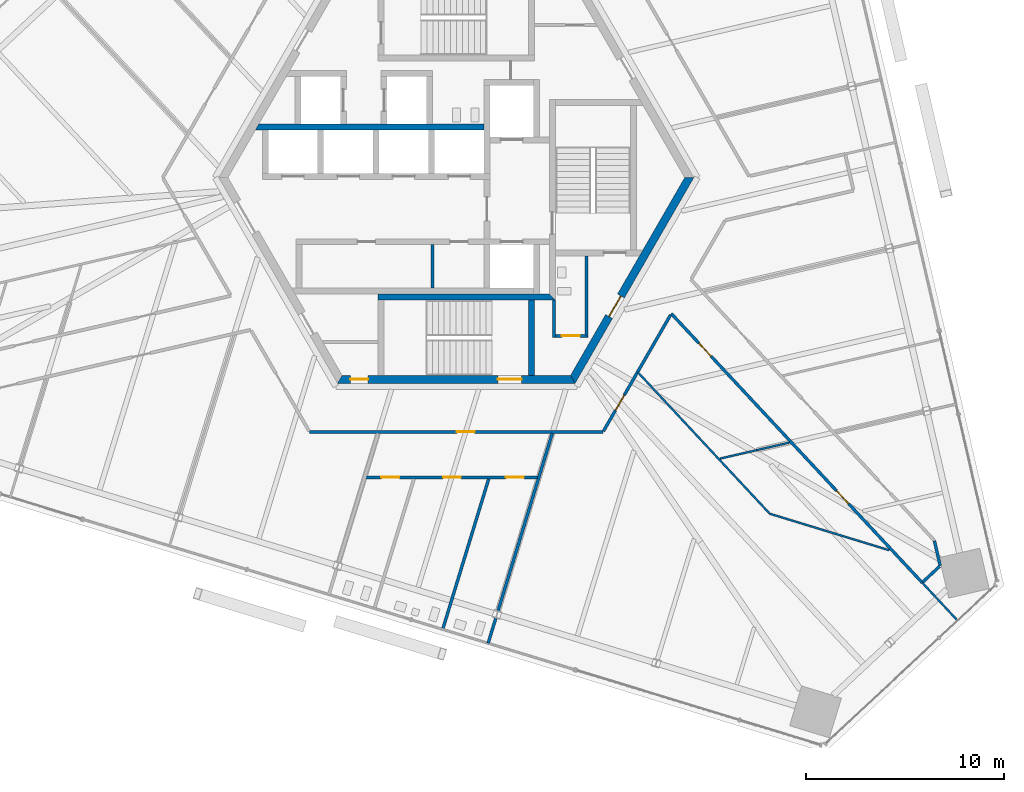
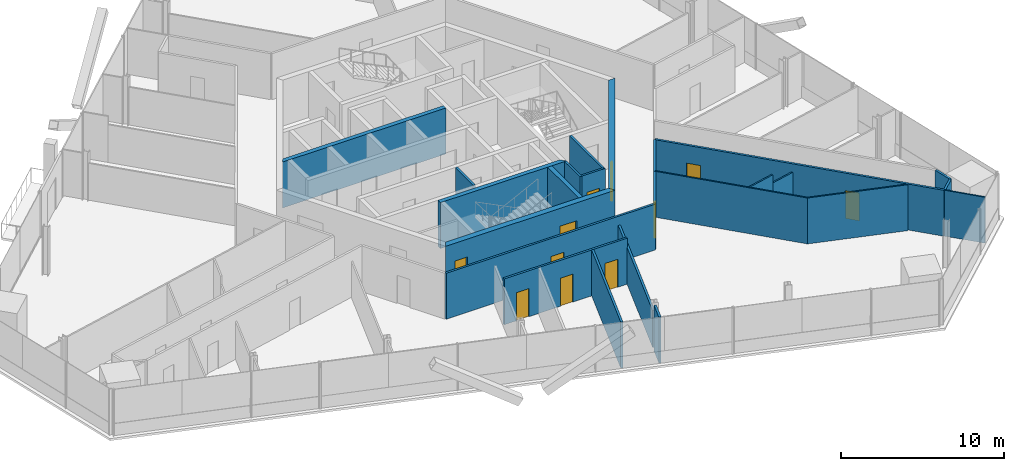
# One storey, part 13 of 20: 23 walls, 11 doors, 11 openings.
"""IFC4 building model written with IfcOpenShell, lengths in metres."""

from ifc_helpers import new_model, si_unit, direction, frame, frame_2d, origin, place, context, subcontext, project, spatial, polyline, rectangle, outline, extrude, source, transform, mapped, material, layer, layer_set, type_object, element, fill, save


model = new_model("IFC4")

# Units and contexts
model_context = context("Model", 3, precision=1e-05, world=origin(), true_north=direction((0.0, 1.0)))
body_context = subcontext(model_context, "Body", "Model", "MODEL_VIEW")
ifc_project = project(units=[si_unit("LENGTHUNIT", "METRE"), si_unit("AREAUNIT", "SQUARE_METRE"), si_unit("VOLUMEUNIT", "CUBIC_METRE"), si_unit("PLANEANGLEUNIT", "RADIAN"), si_unit("MASSUNIT", "GRAM", prefix="KILO")], contexts=[model_context])

# Site, building, storey
site_placement = place(None, origin())
site = spatial("IfcSite", under=ifc_project, at=site_placement, CompositionType="ELEMENT")
building_placement = place(site_placement, origin())
building = spatial("IfcBuilding", under=site, at=building_placement, Name="Triune Harvest Tower", CompositionType="ELEMENT")
storey_placement = place(building_placement, frame((0.0, 0.0, 116.300048828125)))
storey = spatial("IfcBuildingStorey", under=building, at=storey_placement, Name="L29", CompositionType="ELEMENT", Elevation=116.300048828125)

# Wall, openings, doors
ifc_material_1 = material(Name="Concrete 70 MPa", Category="concrete")
ifc_layer_1 = layer(ifc_material_1, 0.39990234375)
ifc_layer_set_1 = layer_set([ifc_layer_1], Name="Concrete 70 MPa")
wall_type_1 = type_object("IfcWallType", Name="Core wall 400", PredefinedType="SHEAR", material=ifc_layer_set_1)
shared_shape_1 = source(origin(), body_context, "Body", "SweptSolid", [
    extrude(outline(polyline([(-0.115478515625, -0.199951171875), (11.884521484375, -0.199951171875), (11.653564453125, 0.199951171875), (0.115478515625, 0.199951171875), (-0.115478515625, -0.199951171875)])), origin(), (0.0, 0.0, 1.0), 3.43994140625),
])
wall_1_placement = place(storey_placement, frame((-5.884521484375, -10.1923828125, 0.0), z_axis=(0.0, 0.0, 1.0), x_axis=(1.0, 0.0, 0.0)))
wall_1 = element("IfcWall", 1, at=wall_1_placement, inside=storey, type_object=wall_type_1, Name="Hexagon 4 wall", PredefinedType="SHEAR", context=body_context, shape_type="MappedRepresentation", body=[
    mapped(shared_shape_1, transform((0.0, 0.0, 0.0), scale=1.0)),
])
opening_1_placement = place(wall_1_placement, frame((7.984619140625, 0.0, 0.0)))
opening_1 = element("IfcOpeningElement", 2, at=opening_1_placement, cuts=wall_1, Name="Opening CD-S2P", PredefinedType="OPENING", context=body_context, shape_type="SweptSolid", body=[
    extrude(rectangle(XDim=1.199951171875, YDim=2.10009765625, at=frame_2d((0.60009765625, 1.050048828125))), frame((0.0, 0.2099609375, 0.0), z_axis=(0.0, -1.0, 0.0), x_axis=(1.0, 0.0, 0.0)), (0.0, 0.0, 1.0), 0.419921875),
])
opening_2_placement = place(wall_1_placement, frame((0.534423828125, 0.0, 0.0)))
opening_2 = element("IfcOpeningElement", 3, at=opening_2_placement, cuts=wall_1, Name="Opening CD-SWS", PredefinedType="OPENING", context=body_context, shape_type="SweptSolid", body=[
    extrude(rectangle(XDim=0.89990234375, YDim=2.10009765625, at=frame_2d((0.449951171875, 1.050048828125))), frame((0.0, 0.2099609375, 0.0), z_axis=(0.0, -1.0, 0.0), x_axis=(1.0, 0.0, 0.0)), (0.0, 0.0, 1.0), 0.419921875),
])
ifc_material_2 = material(Name="Steel S235", Category="steel")
door_type_1 = type_object("IfcDoorType", Name="Riser door 900 FD120", OperationType="SINGLE_SWING_LEFT", PredefinedType="DOOR", material=ifc_material_2)
door_1_placement = place(opening_2_placement, frame((0.89990234375, 0.0, 0.0), z_axis=(0.0, 0.0, 1.0), x_axis=(-1.0, 0.0, 0.0)))
door_1 = element("IfcDoor", 4, at=door_1_placement, inside=storey, type_object=door_type_1, Name="Door CD-SWS", OperationType="SINGLE_SWING_RIGHT", OverallHeight=2.10009765625, OverallWidth=0.89990234375, PredefinedType="DOOR", context=body_context, shape_type="SweptSolid", body=[
    extrude(rectangle(XDim=0.89990234375, YDim=2.10009765625, at=frame_2d((0.449951171875, 1.050048828125))), frame((0.0, 0.02490234375, 0.0), z_axis=(0.0, -1.0, 0.0), x_axis=(1.0, 0.0, 0.0)), (0.0, 0.0, 1.0), 0.050048828125),
])
fill(opening_2, door_1)
ifc_material_3 = material(Name="Steel S235", Category="steel")
door_type_2 = type_object("IfcDoorType", Name="Stair door 1200 FD120", OperationType="SINGLE_SWING_LEFT", PredefinedType="DOOR", material=ifc_material_3)
door_2_placement = place(opening_1_placement, frame((1.199951171875, 0.0, 0.0), z_axis=(0.0, 0.0, 1.0), x_axis=(-1.0, 0.0, 0.0)))
door_2 = element("IfcDoor", 5, at=door_2_placement, inside=storey, type_object=door_type_2, Name="Door CD-S2P", OperationType="SINGLE_SWING_RIGHT", OverallHeight=2.10009765625, OverallWidth=1.199951171875, PredefinedType="DOOR", context=body_context, shape_type="SweptSolid", body=[
    extrude(rectangle(XDim=1.199951171875, YDim=2.10009765625, at=frame_2d((0.60009765625, 1.050048828125))), frame((0.0, 0.02490234375, 0.0), z_axis=(0.0, -1.0, 0.0), x_axis=(1.0, 0.0, 0.0)), (0.0, 0.0, 1.0), 0.050048828125),
])
fill(opening_1, door_2)

# Wall, opening, door
wall_2_placement = place(storey_placement, frame((5.884521484375, -10.1923828125, 0.0), z_axis=(0.0, 0.0, 1.0), x_axis=(0.499996592174, 0.866027371285, 0.0)))
wall_2 = element("IfcWall", 6, at=wall_2_placement, inside=storey, type_object=wall_type_1, Name="Hexagon 5 wall", PredefinedType="SHEAR", context=body_context, shape_type="MappedRepresentation", body=[
    mapped(shared_shape_1, transform((0.0, 0.0, 0.0), scale=1.0)),
])
opening_3_placement = place(wall_2_placement, frame((3.66455078125, 0.0, 0.0)))
opening_3 = element("IfcOpeningElement", 7, at=opening_3_placement, cuts=wall_2, Name="Opening CD-DP", PredefinedType="OPENING", context=body_context, shape_type="SweptSolid", body=[
    extrude(rectangle(XDim=1.199951171875, YDim=2.10009765625, at=frame_2d((0.60009765625, 1.050048828125))), frame((0.0, 0.2099609375, 0.0), z_axis=(0.0, -1.0, 0.0), x_axis=(1.0, 0.0, 0.0)), (0.0, 0.0, 1.0), 0.419921875),
])
door_3_placement = place(opening_3_placement, frame((1.199951171875, 0.0, 0.0), z_axis=(0.0, 0.0, 1.0), x_axis=(-1.0, 0.0, 0.0)))
door_3 = element("IfcDoor", 8, at=door_3_placement, inside=storey, type_object=door_type_2, Name="Door CD-DP", OperationType="SINGLE_SWING_RIGHT", OverallHeight=2.10009765625, OverallWidth=1.199951171875, PredefinedType="DOOR", context=body_context, shape_type="SweptSolid", body=[
    extrude(rectangle(XDim=1.199951171875, YDim=2.10009765625, at=frame_2d((0.60009765625, 1.050048828125))), frame((0.0, 0.02490234375, 0.0), z_axis=(0.0, -1.0, 0.0), x_axis=(1.0, 0.0, 0.0)), (0.0, 0.0, 1.0), 0.050048828125),
])
fill(opening_3, door_3)

# Walls
ifc_material_4 = material(Name="Concrete 70 MPa", Category="concrete")
ifc_layer_2 = layer(ifc_material_4, 0.300048828125)
ifc_layer_set_2 = layer_set([ifc_layer_2], Name="Concrete 70 MPa")
wall_type_2 = type_object("IfcWallType", Name="Core wall 300", PredefinedType="SHEAR", material=ifc_layer_set_2)
shared_shape_2 = source(origin(), body_context, "Body", "SweptSolid", [
    extrude(outline(polyline([(11.199951171875, -0.14990234375), (-0.34912109375, -0.14990234375), (-0.17578125, 0.14990234375), (11.199951171875, 0.14990234375), (11.199951171875, -0.14990234375)])), origin(), (0.0, 0.0, 1.0), 3.43994140625),
])
wall_3_placement = place(storey_placement, frame((-9.800048828125, 2.56005859375, 0.0), z_axis=(0.0, 0.0, 1.0), x_axis=(1.0, 0.0, 0.0)))
element("IfcWall", 9, at=wall_3_placement, inside=storey, type_object=wall_type_2, Name="North back wall", PredefinedType="SHEAR", context=body_context, shape_type="MappedRepresentation", body=[
    mapped(shared_shape_2, transform((0.0, 0.0, 0.0), scale=1.0)),
])
shared_shape_3 = source(origin(), body_context, "Body", "SweptSolid", [
    extrude(outline(polyline([(0.0, -0.14990234375), (8.949951171875, -0.14990234375), (8.64990234375, 0.14990234375), (0.0, 0.14990234375), (0.0, -0.14990234375)])), origin(), (0.0, 0.0, 1.0), 3.43994140625),
])
wall_4_placement = place(storey_placement, frame((-3.949951171875, -6.0400390625, 0.0), z_axis=(0.0, 0.0, 1.0), x_axis=(1.0, 0.0, 0.0)))
element("IfcWall", 10, at=wall_4_placement, inside=storey, type_object=wall_type_2, Name="Stair s north wall", PredefinedType="SHEAR", context=body_context, shape_type="MappedRepresentation", body=[
    mapped(shared_shape_3, transform((0.0, 0.0, 0.0), scale=1.0)),
])
shared_shape_4 = source(origin(), body_context, "Body", "SweptSolid", [
    extrude(outline(polyline([(3.800048828125, -0.14990234375), (-0.00439453125, -0.14990234375), (-0.00439453125, 0.14990234375), (3.800048828125, 0.14990234375), (3.800048828125, -0.14990234375)])), origin(), (0.0, 0.0, 1.0), 3.43994140625),
])
wall_5_placement = place(storey_placement, frame((3.800048828125, -9.989990234375, 0.0), z_axis=(0.0, 0.0, 1.0), x_axis=(0.0, 1.0, 0.0)))
element("IfcWall", 11, at=wall_5_placement, inside=storey, type_object=wall_type_2, Name="Stair s east wall", PredefinedType="SHEAR", context=body_context, shape_type="MappedRepresentation", body=[
    mapped(shared_shape_4, transform((0.0, 0.0, 0.0), scale=1.0)),
])

# Wall, opening, door
ifc_material_5 = material(Name="Concrete masonry unit", Category="masonry")
ifc_layer_3 = layer(ifc_material_5, 0.14990234375)
ifc_layer_set_3 = layer_set([ifc_layer_3], Name="Concrete masonry unit")
wall_type_3 = type_object("IfcWallType", Name="Block partition 150 unrated", PredefinedType="PARTITIONING", material=ifc_layer_set_3)
shared_shape_5 = source(origin(), body_context, "Body", "SweptSolid", [
    extrude(outline(polyline([(0.0, -0.074951171875), (1.64990234375, -0.074951171875), (1.5, 0.074951171875), (0.0, 0.074951171875), (0.0, -0.074951171875)])), origin(), (0.0, 0.0, 1.0), 3.43994140625),
])
wall_6_placement = place(storey_placement, frame((5.0, -8.0, 0.0), z_axis=(0.0, 0.0, 1.0), x_axis=(1.0, 0.0, 0.0)))
wall_6 = element("IfcWall", 12, at=wall_6_placement, inside=storey, type_object=wall_type_3, Name="Wc acc south wall", PredefinedType="PARTITIONING", context=body_context, shape_type="MappedRepresentation", body=[
    mapped(shared_shape_5, transform((0.0, 0.0, 0.0), scale=1.0)),
])
opening_4_placement = place(wall_6_placement, frame((0.33740234375, 0.0, 0.0)))
opening_4 = element("IfcOpeningElement", 13, at=opening_4_placement, cuts=wall_6, Name="Opening CD-WA", PredefinedType="OPENING", context=body_context, shape_type="SweptSolid", body=[
    extrude(rectangle(XDim=0.89990234375, YDim=2.10009765625, at=frame_2d((0.449951171875, 1.050048828125))), frame((0.0, 0.0849609375, 0.0), z_axis=(0.0, -1.0, 0.0), x_axis=(1.0, 0.0, 0.0)), (0.0, 0.0, 1.0), 0.169921875),
])
ifc_material_6 = material(Name="Timber C24", Category="wood")
door_type_3 = type_object("IfcDoorType", Name="WC door 900", OperationType="SINGLE_SWING_LEFT", PredefinedType="DOOR", material=ifc_material_6)
door_4_placement = place(opening_4_placement, origin())
door_4 = element("IfcDoor", 14, at=door_4_placement, inside=storey, type_object=door_type_3, Name="Door CD-WA", OperationType="SINGLE_SWING_LEFT", OverallHeight=2.10009765625, OverallWidth=0.89990234375, PredefinedType="DOOR", context=body_context, shape_type="SweptSolid", body=[
    extrude(rectangle(XDim=0.89990234375, YDim=2.10009765625, at=frame_2d((0.449951171875, 1.050048828125))), frame((0.0, 0.02490234375, 0.0), z_axis=(0.0, -1.0, 0.0), x_axis=(1.0, 0.0, 0.0)), (0.0, 0.0, 1.0), 0.050048828125),
])
fill(opening_4, door_4)

# Walls
ifc_material_7 = material(Name="Concrete masonry unit", Category="masonry")
ifc_layer_4 = layer(ifc_material_7, 0.14990234375)
ifc_layer_set_4 = layer_set([ifc_layer_4], Name="Concrete masonry unit")
wall_type_4 = type_object("IfcWallType", Name="Block partition 150", PredefinedType="PARTITIONING", material=ifc_layer_set_4)
shared_shape_6 = source(origin(), body_context, "Body", "SweptSolid", [
    extrude(rectangle(XDim=2.2001953125, YDim=0.14990234375, at=frame_2d((1.10009765625, 0.0))), origin(), (0.0, 0.0, 1.0), 3.43994140625),
])
wall_7_placement = place(storey_placement, frame((-1.199951171875, -5.590087890625, 0.0), z_axis=(0.0, 0.0, 1.0), x_axis=(0.0, 1.0, 0.0)))
element("IfcWall", 15, at=wall_7_placement, inside=storey, type_object=wall_type_4, Name="Row s part 1 wall", PredefinedType="PARTITIONING", context=body_context, shape_type="MappedRepresentation", body=[
    mapped(shared_shape_6, transform((0.0, 0.0, 0.0), scale=1.0)),
])
shared_shape_7 = source(origin(), body_context, "Body", "SweptSolid", [
    extrude(outline(polyline([(-0.074951171875, -0.074951171875), (4.050048828125, -0.074951171875), (4.050048828125, 0.074951171875), (0.074951171875, 0.074951171875), (-0.074951171875, -0.074951171875)])), origin(), (0.0, 0.0, 1.0), 3.43994140625),
])
wall_8_placement = place(storey_placement, frame((6.574951171875, -8.0, 0.0), z_axis=(0.0, 0.0, 1.0), x_axis=(0.0, 1.0, 0.0)))
element("IfcWall", 16, at=wall_8_placement, inside=storey, type_object=wall_type_3, Name="Wc acc east wall", PredefinedType="PARTITIONING", context=body_context, shape_type="MappedRepresentation", body=[
    mapped(shared_shape_7, transform((0.0, 0.0, 0.0), scale=1.0)),
])
shared_shape_8 = source(origin(), body_context, "Body", "SweptSolid", [
    extrude(rectangle(XDim=1.885009765625, YDim=0.14990234375, at=frame_2d((0.9423828125, 0.0))), origin(), (0.0, 0.0, 1.0), 3.43994140625),
])
wall_9_placement = place(storey_placement, frame((4.925048828125, -8.074951171875, 0.0), z_axis=(0.0, 0.0, 1.0), x_axis=(0.0, 1.0, 0.0)))
element("IfcWall", 17, at=wall_9_placement, inside=storey, type_object=wall_type_3, Name="Wc acc west wall", PredefinedType="PARTITIONING", context=body_context, shape_type="MappedRepresentation", body=[
    mapped(shared_shape_8, transform((0.0, 0.0, 0.0), scale=1.0)),
])
ifc_material_8 = material(Name="Gypsum board on steel studs", Category="steel")
ifc_layer_5 = layer(ifc_material_8, 0.14990234375)
ifc_layer_set_5 = layer_set([ifc_layer_5], Name="Gypsum board on steel studs")
wall_type_5 = type_object("IfcWallType", Name="Fire Partition 150 mm", PredefinedType="PARTITIONING", material=ifc_layer_set_5)
shared_shape_9 = source(origin(), body_context, "Body", "SweptSolid", [
    extrude(rectangle(XDim=1.291259765625, YDim=0.14990234375, at=frame_2d((0.6455078125, 0.0))), origin(), (0.0, 0.0, 1.0), 3.43994140625),
])
wall_10_placement = place(storey_placement, frame((24.1533203125, -18.353759765625, 0.0), z_axis=(0.0, 0.0, 1.0), x_axis=(0.225011409507, -0.974356128729, 0.0)))
element("IfcWall", 18, at=wall_10_placement, inside=storey, type_object=wall_type_5, Name="Partition L29 003", PredefinedType="PARTITIONING", context=body_context, shape_type="MappedRepresentation", body=[
    mapped(shared_shape_9, transform((0.0, 0.0, 0.0), scale=1.0)),
])

# Wall, openings, doors
shared_shape_10 = source(origin(), body_context, "Body", "SweptSolid", [
    extrude(rectangle(XDim=18.5810546875, YDim=0.14990234375, at=frame_2d((9.29052734375, 0.0))), origin(), (0.0, 0.0, 1.0), 3.43994140625),
])
wall_11_placement = place(storey_placement, frame((10.861572265625, -6.87158203125, 0.0), z_axis=(0.0, 0.0, 1.0), x_axis=(0.681987205114, -0.731364103618, 0.0)))
wall_11 = element("IfcWall", 19, at=wall_11_placement, inside=storey, type_object=wall_type_5, Name="Partition L29 014", PredefinedType="PARTITIONING", context=body_context, shape_type="MappedRepresentation", body=[
    mapped(shared_shape_10, transform((0.0, 0.0, 0.0), scale=1.0)),
])
opening_5_placement = place(wall_11_placement, frame((12.229736328125, 0.0, 0.0)))
opening_5 = element("IfcOpeningElement", 20, at=opening_5_placement, cuts=wall_11, Name="Opening L29-001", PredefinedType="OPENING", context=body_context, shape_type="SweptSolid", body=[
    extrude(rectangle(XDim=0.89990234375, YDim=2.10009765625, at=frame_2d((0.449951171875, 1.050048828125))), frame((0.0, 0.0849609375, 0.0), z_axis=(0.0, -1.0, 0.0), x_axis=(1.0, 0.0, 0.0)), (0.0, 0.0, 1.0), 0.169921875),
])
opening_6_placement = place(wall_11_placement, frame((2.050048828125, 0.0, 0.0)))
opening_6 = element("IfcOpeningElement", 21, at=opening_6_placement, cuts=wall_11, Name="Opening L29-003", PredefinedType="OPENING", context=body_context, shape_type="SweptSolid", body=[
    extrude(rectangle(XDim=0.89990234375, YDim=2.10009765625, at=frame_2d((0.449951171875, 1.050048828125))), frame((0.0, 0.0849609375, 0.0), z_axis=(0.0, -1.0, 0.0), x_axis=(1.0, 0.0, 0.0)), (0.0, 0.0, 1.0), 0.169921875),
])
ifc_material_9 = material(Name="Timber and steel door set", Category="steel")
door_type_4 = type_object("IfcDoorType", Name="Single leaf door FD30 left hand 900 x 2100", OperationType="SINGLE_SWING_LEFT", PredefinedType="DOOR", material=ifc_material_9)
door_5_placement = place(opening_5_placement, origin())
door_5 = element("IfcDoor", 22, at=door_5_placement, inside=storey, type_object=door_type_4, Name="Door L29-001 Open Office 29.01", OperationType="SINGLE_SWING_LEFT", OverallHeight=2.10009765625, OverallWidth=0.89990234375, PredefinedType="DOOR", context=body_context, shape_type="SweptSolid", body=[
    extrude(rectangle(XDim=0.89990234375, YDim=2.10009765625, at=frame_2d((0.449951171875, 1.050048828125))), frame((0.0, 0.02490234375, 0.0), z_axis=(0.0, -1.0, 0.0), x_axis=(1.0, 0.0, 0.0)), (0.0, 0.0, 1.0), 0.050048828125),
])
fill(opening_5, door_5)
ifc_material_10 = material(Name="Timber and steel door set", Category="steel")
door_type_5 = type_object("IfcDoorType", Name="Single leaf door FD30 right hand 900 x 2100", OperationType="SINGLE_SWING_RIGHT", PredefinedType="DOOR", material=ifc_material_10)
door_6_placement = place(opening_6_placement, origin())
door_6 = element("IfcDoor", 23, at=door_6_placement, inside=storey, type_object=door_type_5, Name="Door L29-003 Pantry 29.03", OperationType="SINGLE_SWING_RIGHT", OverallHeight=2.10009765625, OverallWidth=0.89990234375, PredefinedType="DOOR", context=body_context, shape_type="SweptSolid", body=[
    extrude(rectangle(XDim=0.89990234375, YDim=2.10009765625, at=frame_2d((0.449951171875, 1.050048828125))), frame((0.0, 0.02490234375, 0.0), z_axis=(0.0, -1.0, 0.0), x_axis=(1.0, 0.0, 0.0)), (0.0, 0.0, 1.0), 0.050048828125),
])
fill(opening_6, door_6)

# Wall
ifc_material_11 = material(Name="Gypsum board on steel studs", Category="steel")
ifc_layer_6 = layer(ifc_material_11, 0.10009765625)
ifc_layer_set_6 = layer_set([ifc_layer_6], Name="Gypsum board on steel studs")
wall_type_6 = type_object("IfcWallType", Name="Partition 100 mm", PredefinedType="PARTITIONING", material=ifc_layer_set_6)
shared_shape_11 = source(origin(), body_context, "Body", "SweptSolid", [
    extrude(rectangle(XDim=2.61865234375, YDim=0.10009765625, at=frame_2d((1.309326171875, 0.0))), origin(), (0.0, 0.0, 1.0), 3.43994140625),
])
wall_12_placement = place(storey_placement, frame((23.53369140625, -20.461181640625, 0.0), z_axis=(0.0, 0.0, 1.0), x_axis=(0.682015897194, -0.731337347586, 0.0)))
element("IfcWall", 24, at=wall_12_placement, inside=storey, type_object=wall_type_6, Name="Partition L29 015", PredefinedType="PARTITIONING", context=body_context, shape_type="MappedRepresentation", body=[
    mapped(shared_shape_11, transform((0.0, 0.0, 0.0), scale=1.0)),
])

# Wall, openings, doors
shared_shape_12 = source(origin(), body_context, "Body", "SweptSolid", [
    extrude(rectangle(XDim=8.718994140625, YDim=0.14990234375, at=frame_2d((4.359375, 0.0))), origin(), (0.0, 0.0, 1.0), 3.43994140625),
])
wall_13_placement = place(storey_placement, frame((-4.629638671875, -15.142333984375, 0.0), z_axis=(0.0, 0.0, 1.0), x_axis=(1.0, 0.0, 0.0)))
wall_13 = element("IfcWall", 25, at=wall_13_placement, inside=storey, type_object=wall_type_5, Name="Partition L29 025", PredefinedType="PARTITIONING", context=body_context, shape_type="MappedRepresentation", body=[
    mapped(shared_shape_12, transform((0.0, 0.0, 0.0), scale=1.0)),
])
opening_7_placement = place(wall_13_placement, frame((0.85009765625, 0.0, 0.0)))
opening_7 = element("IfcOpeningElement", 26, at=opening_7_placement, cuts=wall_13, Name="Opening L29-023", PredefinedType="OPENING", context=body_context, shape_type="SweptSolid", body=[
    extrude(rectangle(XDim=0.89990234375, YDim=2.10009765625, at=frame_2d((0.449951171875, 1.050048828125))), frame((0.0, 0.0849609375, 0.0), z_axis=(0.0, -1.0, 0.0), x_axis=(1.0, 0.0, 0.0)), (0.0, 0.0, 1.0), 0.169921875),
])
opening_8_placement = place(wall_13_placement, frame((3.9658203125, 0.0, 0.0)))
opening_8 = element("IfcOpeningElement", 27, at=opening_8_placement, cuts=wall_13, Name="Opening L29-024", PredefinedType="OPENING", context=body_context, shape_type="SweptSolid", body=[
    extrude(rectangle(XDim=0.89990234375, YDim=2.10009765625, at=frame_2d((0.449951171875, 1.050048828125))), frame((0.0, 0.0849609375, 0.0), z_axis=(0.0, -1.0, 0.0), x_axis=(1.0, 0.0, 0.0)), (0.0, 0.0, 1.0), 0.169921875),
])
opening_9_placement = place(wall_13_placement, frame((7.139404296875, 0.0, 0.0)))
opening_9 = element("IfcOpeningElement", 28, at=opening_9_placement, cuts=wall_13, Name="Opening L29-025", PredefinedType="OPENING", context=body_context, shape_type="SweptSolid", body=[
    extrude(rectangle(XDim=0.89990234375, YDim=2.10009765625, at=frame_2d((0.449951171875, 1.050048828125))), frame((0.0, 0.0849609375, 0.0), z_axis=(0.0, -1.0, 0.0), x_axis=(1.0, 0.0, 0.0)), (0.0, 0.0, 1.0), 0.169921875),
])
door_7_placement = place(opening_8_placement, origin())
door_7 = element("IfcDoor", 29, at=door_7_placement, inside=storey, type_object=door_type_4, Name="Door L29-024 Men's WC 29.24", OperationType="SINGLE_SWING_LEFT", OverallHeight=2.10009765625, OverallWidth=0.89990234375, PredefinedType="DOOR", context=body_context, shape_type="SweptSolid", body=[
    extrude(rectangle(XDim=0.89990234375, YDim=2.10009765625, at=frame_2d((0.449951171875, 1.050048828125))), frame((0.0, 0.02490234375, 0.0), z_axis=(0.0, -1.0, 0.0), x_axis=(1.0, 0.0, 0.0)), (0.0, 0.0, 1.0), 0.050048828125),
])
fill(opening_8, door_7)
door_8_placement = place(opening_9_placement, origin())
door_8 = element("IfcDoor", 30, at=door_8_placement, inside=storey, type_object=door_type_4, Name="Door L29-025 Accessible WC 29.25", OperationType="SINGLE_SWING_LEFT", OverallHeight=2.10009765625, OverallWidth=0.89990234375, PredefinedType="DOOR", context=body_context, shape_type="SweptSolid", body=[
    extrude(rectangle(XDim=0.89990234375, YDim=2.10009765625, at=frame_2d((0.449951171875, 1.050048828125))), frame((0.0, 0.02490234375, 0.0), z_axis=(0.0, -1.0, 0.0), x_axis=(1.0, 0.0, 0.0)), (0.0, 0.0, 1.0), 0.050048828125),
])
fill(opening_9, door_8)
door_9_placement = place(opening_7_placement, origin())
door_9 = element("IfcDoor", 31, at=door_9_placement, inside=storey, type_object=door_type_5, Name="Door L29-023 Women's WC 29.23", OperationType="SINGLE_SWING_RIGHT", OverallHeight=2.10009765625, OverallWidth=0.89990234375, PredefinedType="DOOR", context=body_context, shape_type="SweptSolid", body=[
    extrude(rectangle(XDim=0.89990234375, YDim=2.10009765625, at=frame_2d((0.449951171875, 1.050048828125))), frame((0.0, 0.02490234375, 0.0), z_axis=(0.0, -1.0, 0.0), x_axis=(1.0, 0.0, 0.0)), (0.0, 0.0, 1.0), 0.050048828125),
])
fill(opening_7, door_9)

# Wall, opening, door
shared_shape_13 = source(origin(), body_context, "Body", "SweptSolid", [
    extrude(rectangle(XDim=14.8291015625, YDim=0.14990234375, at=frame_2d((7.41455078125, 0.0))), origin(), (0.0, 0.0, 1.0), 3.43994140625),
])
wall_14_placement = place(storey_placement, frame((-7.41455078125, -12.84228515625, 0.0), z_axis=(0.0, 0.0, 1.0), x_axis=(1.0, 0.0, 0.0)))
wall_14 = element("IfcWall", 32, at=wall_14_placement, inside=storey, type_object=wall_type_5, Name="Partition L29 026", PredefinedType="PARTITIONING", context=body_context, shape_type="MappedRepresentation", body=[
    mapped(shared_shape_13, transform((0.0, 0.0, 0.0), scale=1.0)),
])
opening_10_placement = place(wall_14_placement, frame((7.43798828125, 0.0, 0.0)))
opening_10 = element("IfcOpeningElement", 33, at=opening_10_placement, cuts=wall_14, Name="Opening L29-022", PredefinedType="OPENING", context=body_context, shape_type="SweptSolid", body=[
    extrude(rectangle(XDim=0.89990234375, YDim=2.10009765625, at=frame_2d((0.449951171875, 1.050048828125))), frame((0.0, 0.0849609375, 0.0), z_axis=(0.0, -1.0, 0.0), x_axis=(1.0, 0.0, 0.0)), (0.0, 0.0, 1.0), 0.169921875),
])
door_10_placement = place(opening_10_placement, origin())
door_10 = element("IfcDoor", 34, at=door_10_placement, inside=storey, type_object=door_type_4, Name="Door L29-022 WC lobby 29.22", OperationType="SINGLE_SWING_LEFT", OverallHeight=2.10009765625, OverallWidth=0.89990234375, PredefinedType="DOOR", context=body_context, shape_type="SweptSolid", body=[
    extrude(rectangle(XDim=0.89990234375, YDim=2.10009765625, at=frame_2d((0.449951171875, 1.050048828125))), frame((0.0, 0.02490234375, 0.0), z_axis=(0.0, -1.0, 0.0), x_axis=(1.0, 0.0, 0.0)), (0.0, 0.0, 1.0), 0.050048828125),
])
fill(opening_10, door_10)

# Walls
shared_shape_14 = source(origin(), body_context, "Body", "SweptSolid", [
    extrude(rectangle(XDim=1.679443359375, YDim=0.10009765625, at=frame_2d((0.83984375, 0.0))), origin(), (0.0, 0.0, 1.0), 2.82763671875),
])
wall_15_placement = place(storey_placement, frame((15.193359375, -13.763916015625, 0.0), z_axis=(0.0, 0.0, 1.0), x_axis=(0.974354434128, 0.225018747431, 0.0)))
element("IfcWall", 35, at=wall_15_placement, inside=storey, type_object=wall_type_6, Name="Partition L29 028a", PredefinedType="PARTITIONING", context=body_context, shape_type="MappedRepresentation", body=[
    mapped(shared_shape_14, transform((0.0, 0.0, 0.0), scale=1.0)),
])
shared_shape_15 = source(origin(), body_context, "Body", "SweptSolid", [
    extrude(rectangle(XDim=1.154296875, YDim=0.14990234375, at=frame_2d((0.5771484375, 0.0))), origin(), (0.0, 0.0, 1.0), 3.43994140625),
])
wall_16_placement = place(storey_placement, frame((23.5703125, -20.427001953125, 0.0), z_axis=(0.0, 0.0, 1.0), x_axis=(0.731315427134, 0.682039402113, 0.0)))
element("IfcWall", 36, at=wall_16_placement, inside=storey, type_object=wall_type_5, Name="Partition L29 045", PredefinedType="PARTITIONING", context=body_context, shape_type="MappedRepresentation", body=[
    mapped(shared_shape_15, transform((0.0, 0.0, 0.0), scale=1.0)),
])

# Wall, opening, door
shared_shape_16 = source(origin(), body_context, "Body", "SweptSolid", [
    extrude(rectangle(XDim=6.774169921875, YDim=0.14990234375, at=frame_2d((3.38720703125, 0.0))), origin(), (0.0, 0.0, 1.0), 3.43994140625),
])
wall_17_placement = place(storey_placement, frame((7.4345703125, -12.8076171875, 0.0), z_axis=(0.0, 0.0, 1.0), x_axis=(0.49998035001, 0.866036748414, 0.0)))
wall_17 = element("IfcWall", 37, at=wall_17_placement, inside=storey, type_object=wall_type_5, Name="Partition L29 047", PredefinedType="PARTITIONING", context=body_context, shape_type="MappedRepresentation", body=[
    mapped(shared_shape_16, transform((0.0, 0.0, 0.0), scale=1.0)),
])
opening_11_placement = place(wall_17_placement, frame((1.2099609375, 0.0, 0.0)))
opening_11 = element("IfcOpeningElement", 38, at=opening_11_placement, cuts=wall_17, Name="Opening L29-026", PredefinedType="OPENING", context=body_context, shape_type="SweptSolid", body=[
    extrude(rectangle(XDim=0.89990234375, YDim=2.10009765625, at=frame_2d((0.449951171875, 1.050048828125))), frame((0.0, 0.0849609375, 0.0), z_axis=(0.0, -1.0, 0.0), x_axis=(1.0, 0.0, 0.0)), (0.0, 0.0, 1.0), 0.169921875),
])
door_11_placement = place(opening_11_placement, origin())
door_11 = element("IfcDoor", 39, at=door_11_placement, inside=storey, type_object=door_type_5, Name="Door L29-026 Open Office 29.26", OperationType="SINGLE_SWING_RIGHT", OverallHeight=2.10009765625, OverallWidth=0.89990234375, PredefinedType="DOOR", context=body_context, shape_type="SweptSolid", body=[
    extrude(rectangle(XDim=0.89990234375, YDim=2.10009765625, at=frame_2d((0.449951171875, 1.050048828125))), frame((0.0, 0.02490234375, 0.0), z_axis=(0.0, -1.0, 0.0), x_axis=(1.0, 0.0, 0.0)), (0.0, 0.0, 1.0), 0.050048828125),
])
fill(opening_11, door_11)

# Walls
shared_shape_17 = source(origin(), body_context, "Body", "SweptSolid", [
    extrude(rectangle(XDim=7.948974609375, YDim=0.14990234375, at=frame_2d((3.974609375, 0.0))), origin(), (0.0, 0.0, 1.0), 3.43994140625),
])
wall_18_placement = place(storey_placement, frame((-0.6875, -22.8203125, 0.0), z_axis=(0.0, 0.0, 1.0), x_axis=(0.292365230399, 0.956306735339, 0.0)))
element("IfcWall", 40, at=wall_18_placement, inside=storey, type_object=wall_type_5, Name="Partition L29 052", PredefinedType="PARTITIONING", context=body_context, shape_type="MappedRepresentation", body=[
    mapped(shared_shape_17, transform((0.0, 0.0, 0.0), scale=1.0)),
])
shared_shape_18 = source(origin(), body_context, "Body", "SweptSolid", [
    extrude(rectangle(XDim=1.921630859375, YDim=0.10009765625, at=frame_2d((0.9609375, 0.0))), origin(), (0.0, 0.0, 1.0), 3.43994140625),
])
wall_19_placement = place(storey_placement, frame((13.321044921875, -14.1962890625, 0.0), z_axis=(0.0, 0.0, 1.0), x_axis=(0.974356923342, 0.225007968606, 0.0)))
element("IfcWall", 41, at=wall_19_placement, inside=storey, type_object=wall_type_6, Name="Partition L29 028", PredefinedType="PARTITIONING", context=body_context, shape_type="MappedRepresentation", body=[
    mapped(shared_shape_18, transform((0.0, 0.0, 0.0), scale=1.0)),
])
shared_shape_19 = source(origin(), body_context, "Body", "SweptSolid", [
    extrude(rectangle(XDim=9.787841796875, YDim=0.10009765625, at=frame_2d((4.89404296875, 0.0))), origin(), (0.0, 0.0, 1.0), 3.43994140625),
])
wall_20_placement = place(storey_placement, frame((9.15869140625, -9.821533203125, 0.0), z_axis=(0.0, 0.0, 1.0), x_axis=(0.681994693259, -0.731357120951, 0.0)))
element("IfcWall", 42, at=wall_20_placement, inside=storey, type_object=wall_type_6, Name="Partition L29 012", PredefinedType="PARTITIONING", context=body_context, shape_type="MappedRepresentation", body=[
    mapped(shared_shape_19, transform((0.0, 0.0, 0.0), scale=1.0)),
])
shared_shape_20 = source(origin(), body_context, "Body", "SweptSolid", [
    extrude(rectangle(XDim=6.314453125, YDim=0.10009765625, at=frame_2d((3.1572265625, 0.0))), origin(), (0.0, 0.0, 1.0), 3.43994140625),
])
wall_21_placement = place(storey_placement, frame((15.833984375, -16.97998046875, 0.0), z_axis=(0.0, 0.0, 1.0), x_axis=(0.956304136269, -0.292373731643, 0.0)))
element("IfcWall", 43, at=wall_21_placement, inside=storey, type_object=wall_type_6, Name="Partition L29 024", PredefinedType="PARTITIONING", context=body_context, shape_type="MappedRepresentation", body=[
    mapped(shared_shape_20, transform((0.0, 0.0, 0.0), scale=1.0)),
])
shared_shape_21 = source(origin(), body_context, "Body", "SweptSolid", [
    extrude(rectangle(XDim=1.338623046875, YDim=0.14990234375, at=frame_2d((0.66943359375, 0.0))), origin(), (0.0, 0.0, 1.0), 3.43994140625),
])
wall_22_placement = place(storey_placement, frame((1.607421875, -23.522216796875, 0.0), z_axis=(0.0, 0.0, 1.0), x_axis=(0.292380718345, 0.956302000176, 0.0)))
element("IfcWall", 44, at=wall_22_placement, inside=storey, type_object=wall_type_5, Name="Partition L29 050", PredefinedType="PARTITIONING", context=body_context, shape_type="MappedRepresentation", body=[
    mapped(shared_shape_21, transform((0.0, 0.0, 0.0), scale=1.0)),
])
shared_shape_22 = source(origin(), body_context, "Body", "SweptSolid", [
    extrude(rectangle(XDim=9.388671875, YDim=0.14990234375, at=frame_2d((4.6943359375, 0.0))), origin(), (0.0, 0.0, 1.0), 2.7568359375),
])
wall_23_placement = place(storey_placement, frame((2.104248046875, -21.897216796875, 0.0), z_axis=(0.0, 0.0, 1.0), x_axis=(0.292358588607, 0.956308765864, 0.0)))
element("IfcWall", 45, at=wall_23_placement, inside=storey, type_object=wall_type_5, Name="Partition L29 051", PredefinedType="PARTITIONING", context=body_context, shape_type="MappedRepresentation", body=[
    mapped(shared_shape_22, transform((0.0, 0.0, 0.0), scale=1.0)),
])

save(model, "model.ifc")
